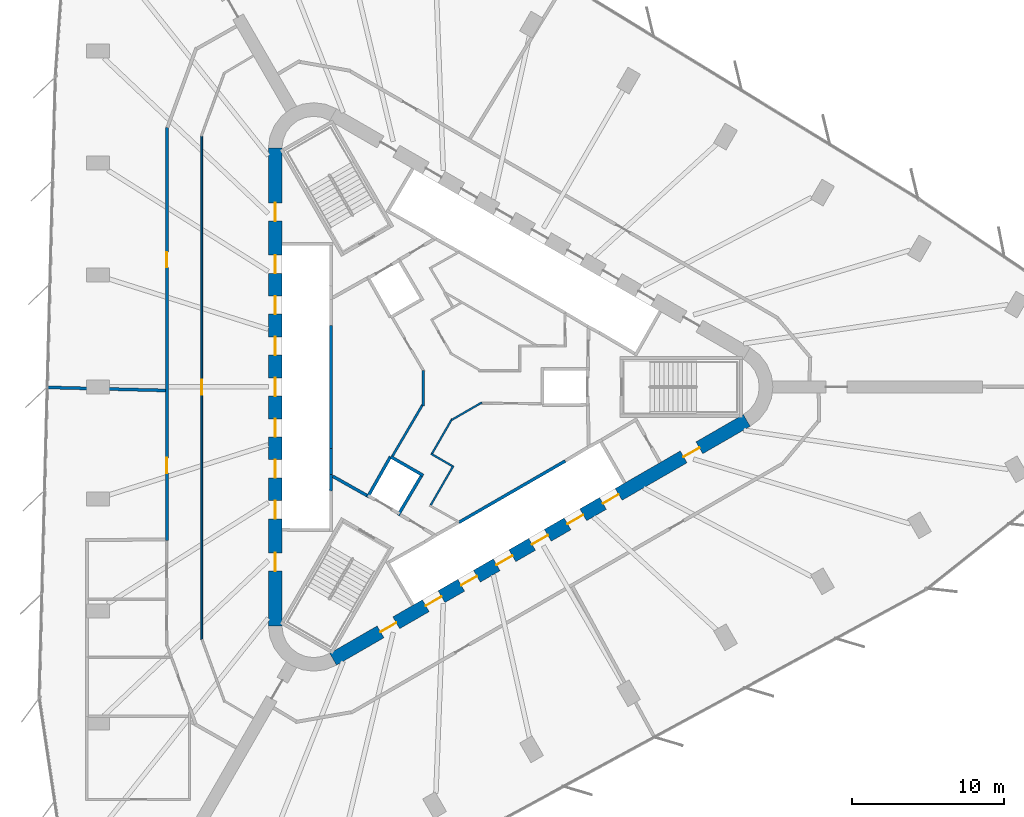
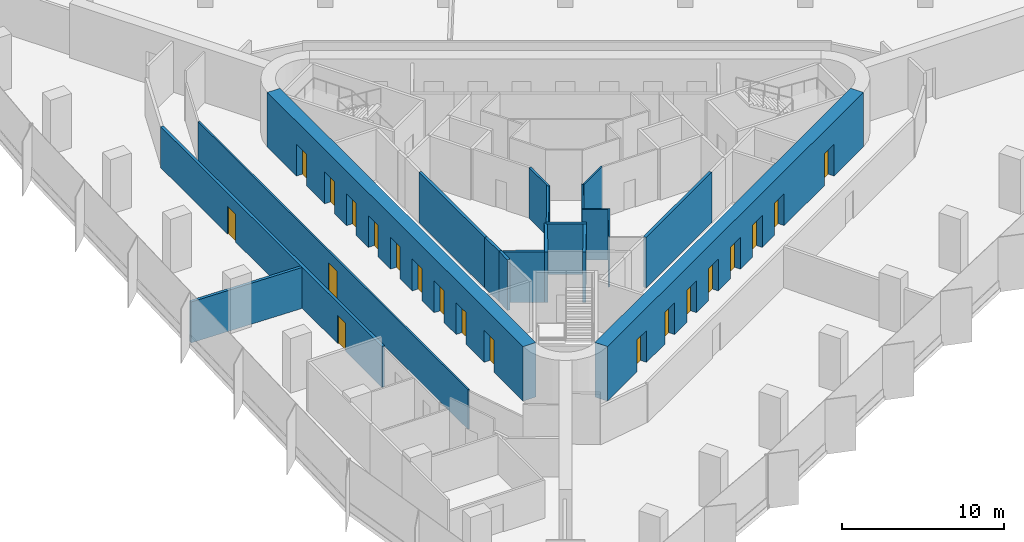
# One storey, part 9 of 13: 20 doors, 19 walls, 20 openings.
"""IFC4 building model written with IfcOpenShell, lengths in metres."""

from ifc_helpers import new_model, si_unit, direction, frame, frame_2d, origin, place, context, subcontext, project, spatial, rectangle, extrude, material, layer, layer_set, type_object, element, fill, save


model = new_model("IFC4")

# Units and contexts
model_context = context("Model", 3, precision=1e-05, world=origin(), true_north=direction((0.0, 1.0)))
body_context = subcontext(model_context, "Body", "Model", "MODEL_VIEW")
ifc_project = project(units=[si_unit("LENGTHUNIT", "METRE"), si_unit("AREAUNIT", "SQUARE_METRE"), si_unit("VOLUMEUNIT", "CUBIC_METRE"), si_unit("PLANEANGLEUNIT", "RADIAN"), si_unit("MASSUNIT", "GRAM", prefix="KILO")], contexts=[model_context])

# Site, building, storey
site_placement = place(None, origin())
site = spatial("IfcSite", under=ifc_project, at=site_placement, CompositionType="ELEMENT")
building_placement = place(site_placement, origin())
building = spatial("IfcBuilding", under=site, at=building_placement, Name="Tanit Gate Tower", CompositionType="ELEMENT")
storey_placement = place(building_placement, frame((0.0, 0.0, 57.800048828125)))
storey = spatial("IfcBuildingStorey", under=building, at=storey_placement, Name="L10", CompositionType="ELEMENT", Elevation=57.800048828125)

# Wall, openings, doors
ifc_material_1 = material(Name="Concrete C60/75", Category="concrete")
ifc_layer_1 = layer(ifc_material_1, 0.89990234375)
ifc_layer_set_1 = layer_set([ifc_layer_1], Name="CORE WALL 900 C60/75")
wall_type_1 = type_object("IfcWallType", Name="CORE WALL 900 C60/75", PredefinedType="SHEAR", material=ifc_layer_set_1)
wall_1_placement = place(storey_placement, frame((-11.64990234375, 15.76171875, 0.0), z_axis=(0.0, 0.0, 1.0), x_axis=(0.0, -1.0, 0.0)))
wall_1 = element("IfcWall", 1, at=wall_1_placement, inside=storey, type_object=wall_type_1, Name="CORE WALL", PredefinedType="SHEAR", context=body_context, shape_type="SweptSolid", body=[
    extrude(rectangle(XDim=31.5234375, YDim=0.89990234375, at=frame_2d((15.76171875, 0.0))), origin(), (0.0, 0.0, 1.0), 4.099853515625),
])
opening_1_placement = place(wall_1_placement, frame((7.061767578125, 0.0, 0.0)))
opening_1 = element("IfcOpeningElement", 2, at=opening_1_placement, cuts=wall_1, Name="Opening LDLL1-S01", PredefinedType="OPENING", context=body_context, shape_type="SweptSolid", body=[
    extrude(rectangle(XDim=1.199951171875, YDim=2.39990234375, at=frame_2d((0.60009765625, 1.199951171875))), frame((0.0, 0.4599609375, 0.0), z_axis=(0.0, -1.0, 0.0), x_axis=(1.0, 0.0, 0.0)), (0.0, 0.0, 1.0), 0.919921875),
])
opening_2_placement = place(wall_1_placement, frame((9.76171875, 0.0, 0.0)))
opening_2 = element("IfcOpeningElement", 3, at=opening_2_placement, cuts=wall_1, Name="Opening LDLL2-S01", PredefinedType="OPENING", context=body_context, shape_type="SweptSolid", body=[
    extrude(rectangle(XDim=1.199951171875, YDim=2.39990234375, at=frame_2d((0.60009765625, 1.199951171875))), frame((0.0, 0.4599609375, 0.0), z_axis=(0.0, -1.0, 0.0), x_axis=(1.0, 0.0, 0.0)), (0.0, 0.0, 1.0), 0.919921875),
])
opening_3_placement = place(wall_1_placement, frame((12.461669921875, 0.0, 0.0)))
opening_3 = element("IfcOpeningElement", 4, at=opening_3_placement, cuts=wall_1, Name="Opening LDLL3-S01", PredefinedType="OPENING", context=body_context, shape_type="SweptSolid", body=[
    extrude(rectangle(XDim=1.199951171875, YDim=2.39990234375, at=frame_2d((0.60009765625, 1.199951171875))), frame((0.0, 0.4599609375, 0.0), z_axis=(0.0, -1.0, 0.0), x_axis=(1.0, 0.0, 0.0)), (0.0, 0.0, 1.0), 0.919921875),
])
opening_4_placement = place(wall_1_placement, frame((15.16162109375, 0.0, 0.0)))
opening_4 = element("IfcOpeningElement", 5, at=opening_4_placement, cuts=wall_1, Name="Opening LDLL4-S01", PredefinedType="OPENING", context=body_context, shape_type="SweptSolid", body=[
    extrude(rectangle(XDim=1.199951171875, YDim=2.39990234375, at=frame_2d((0.60009765625, 1.199951171875))), frame((0.0, 0.4599609375, 0.0), z_axis=(0.0, -1.0, 0.0), x_axis=(1.0, 0.0, 0.0)), (0.0, 0.0, 1.0), 0.919921875),
])
opening_5_placement = place(wall_1_placement, frame((17.86181640625, 0.0, 0.0)))
opening_5 = element("IfcOpeningElement", 6, at=opening_5_placement, cuts=wall_1, Name="Opening LDLL5-S01", PredefinedType="OPENING", context=body_context, shape_type="SweptSolid", body=[
    extrude(rectangle(XDim=1.199951171875, YDim=2.39990234375, at=frame_2d((0.60009765625, 1.199951171875))), frame((0.0, 0.4599609375, 0.0), z_axis=(0.0, -1.0, 0.0), x_axis=(1.0, 0.0, 0.0)), (0.0, 0.0, 1.0), 0.919921875),
])
opening_6_placement = place(wall_1_placement, frame((20.561767578125, 0.0, 0.0)))
opening_6 = element("IfcOpeningElement", 7, at=opening_6_placement, cuts=wall_1, Name="Opening LDLL6-S01", PredefinedType="OPENING", context=body_context, shape_type="SweptSolid", body=[
    extrude(rectangle(XDim=1.199951171875, YDim=2.39990234375, at=frame_2d((0.60009765625, 1.199951171875))), frame((0.0, 0.4599609375, 0.0), z_axis=(0.0, -1.0, 0.0), x_axis=(1.0, 0.0, 0.0)), (0.0, 0.0, 1.0), 0.919921875),
])
opening_7_placement = place(wall_1_placement, frame((23.26171875, 0.0, 0.0)))
opening_7 = element("IfcOpeningElement", 8, at=opening_7_placement, cuts=wall_1, Name="Opening LDLL7-S01", PredefinedType="OPENING", context=body_context, shape_type="SweptSolid", body=[
    extrude(rectangle(XDim=1.199951171875, YDim=2.39990234375, at=frame_2d((0.60009765625, 1.199951171875))), frame((0.0, 0.4599609375, 0.0), z_axis=(0.0, -1.0, 0.0), x_axis=(1.0, 0.0, 0.0)), (0.0, 0.0, 1.0), 0.919921875),
])
opening_8_placement = place(wall_1_placement, frame((3.61181640625, 0.0, 0.0)))
opening_8 = element("IfcOpeningElement", 9, at=opening_8_placement, cuts=wall_1, Name="Opening F12-S01-FL2", PredefinedType="OPENING", context=body_context, shape_type="SweptSolid", body=[
    extrude(rectangle(XDim=1.199951171875, YDim=2.39990234375, at=frame_2d((0.60009765625, 1.199951171875))), frame((0.0, 0.4599609375, 0.0), z_axis=(0.0, -1.0, 0.0), x_axis=(1.0, 0.0, 0.0)), (0.0, 0.0, 1.0), 0.919921875),
])
opening_9_placement = place(wall_1_placement, frame((26.711669921875, 0.0, 0.0)))
opening_9 = element("IfcOpeningElement", 10, at=opening_9_placement, cuts=wall_1, Name="Opening F12-S01-S3", PredefinedType="OPENING", context=body_context, shape_type="SweptSolid", body=[
    extrude(rectangle(XDim=1.199951171875, YDim=2.39990234375, at=frame_2d((0.60009765625, 1.199951171875))), frame((0.0, 0.4599609375, 0.0), z_axis=(0.0, -1.0, 0.0), x_axis=(1.0, 0.0, 0.0)), (0.0, 0.0, 1.0), 0.919921875),
])
ifc_material_2 = material(Name="Fire-rated steel door leaf", Category="steel")
door_type_1 = type_object("IfcDoorType", Name="INT-DOOR-FIRE-LOBBY-1200", OperationType="NOTDEFINED", PredefinedType="USERDEFINED", material=ifc_material_2)
door_1_placement = place(opening_8_placement, origin())
door_1 = element("IfcDoor", 11, at=door_1_placement, inside=storey, type_object=door_type_1, Name="Door F12-S01-FL2", ObjectType="FIRE DOOR", OperationType="SINGLE_SWING_LEFT", OverallHeight=2.39990234375, OverallWidth=1.199951171875, PredefinedType="USERDEFINED", context=body_context, shape_type="SweptSolid", body=[
    extrude(rectangle(XDim=1.199951171875, YDim=2.39990234375, at=frame_2d((0.60009765625, 1.199951171875))), frame((0.0, 0.02490234375, 0.0), z_axis=(0.0, -1.0, 0.0), x_axis=(1.0, 0.0, 0.0)), (0.0, 0.0, 1.0), 0.050048828125),
])
fill(opening_8, door_1)
door_2_placement = place(opening_9_placement, origin())
door_2 = element("IfcDoor", 12, at=door_2_placement, inside=storey, type_object=door_type_1, Name="Door F12-S01-S3", ObjectType="FIRE DOOR", OperationType="SINGLE_SWING_LEFT", OverallHeight=2.39990234375, OverallWidth=1.199951171875, PredefinedType="USERDEFINED", context=body_context, shape_type="SweptSolid", body=[
    extrude(rectangle(XDim=1.199951171875, YDim=2.39990234375, at=frame_2d((0.60009765625, 1.199951171875))), frame((0.0, 0.02490234375, 0.0), z_axis=(0.0, -1.0, 0.0), x_axis=(1.0, 0.0, 0.0)), (0.0, 0.0, 1.0), 0.050048828125),
])
fill(opening_9, door_2)
ifc_material_3 = material(Name="Stainless steel sliding door leaf", Category="steel")
door_type_2 = type_object("IfcDoorType", Name="INT-DOOR-LANDING-1200", OperationType="NOTDEFINED", PredefinedType="USERDEFINED", material=ifc_material_3)
door_3_placement = place(opening_1_placement, origin())
door_3 = element("IfcDoor", 13, at=door_3_placement, inside=storey, type_object=door_type_2, Name="Door LDLL1-S01", ObjectType="LANDING DOOR", OperationType="SLIDING_TO_LEFT", OverallHeight=2.39990234375, OverallWidth=1.199951171875, PredefinedType="USERDEFINED", context=body_context, shape_type="SweptSolid", body=[
    extrude(rectangle(XDim=1.199951171875, YDim=2.39990234375, at=frame_2d((0.60009765625, 1.199951171875))), frame((0.0, 0.02490234375, 0.0), z_axis=(0.0, -1.0, 0.0), x_axis=(1.0, 0.0, 0.0)), (0.0, 0.0, 1.0), 0.050048828125),
])
fill(opening_1, door_3)
door_4_placement = place(opening_2_placement, origin())
door_4 = element("IfcDoor", 14, at=door_4_placement, inside=storey, type_object=door_type_2, Name="Door LDLL2-S01", ObjectType="LANDING DOOR", OperationType="SLIDING_TO_LEFT", OverallHeight=2.39990234375, OverallWidth=1.199951171875, PredefinedType="USERDEFINED", context=body_context, shape_type="SweptSolid", body=[
    extrude(rectangle(XDim=1.199951171875, YDim=2.39990234375, at=frame_2d((0.60009765625, 1.199951171875))), frame((0.0, 0.02490234375, 0.0), z_axis=(0.0, -1.0, 0.0), x_axis=(1.0, 0.0, 0.0)), (0.0, 0.0, 1.0), 0.050048828125),
])
fill(opening_2, door_4)
door_5_placement = place(opening_3_placement, origin())
door_5 = element("IfcDoor", 15, at=door_5_placement, inside=storey, type_object=door_type_2, Name="Door LDLL3-S01", ObjectType="LANDING DOOR", OperationType="SLIDING_TO_LEFT", OverallHeight=2.39990234375, OverallWidth=1.199951171875, PredefinedType="USERDEFINED", context=body_context, shape_type="SweptSolid", body=[
    extrude(rectangle(XDim=1.199951171875, YDim=2.39990234375, at=frame_2d((0.60009765625, 1.199951171875))), frame((0.0, 0.02490234375, 0.0), z_axis=(0.0, -1.0, 0.0), x_axis=(1.0, 0.0, 0.0)), (0.0, 0.0, 1.0), 0.050048828125),
])
fill(opening_3, door_5)
door_6_placement = place(opening_4_placement, origin())
door_6 = element("IfcDoor", 16, at=door_6_placement, inside=storey, type_object=door_type_2, Name="Door LDLL4-S01", ObjectType="LANDING DOOR", OperationType="SLIDING_TO_LEFT", OverallHeight=2.39990234375, OverallWidth=1.199951171875, PredefinedType="USERDEFINED", context=body_context, shape_type="SweptSolid", body=[
    extrude(rectangle(XDim=1.199951171875, YDim=2.39990234375, at=frame_2d((0.60009765625, 1.199951171875))), frame((0.0, 0.02490234375, 0.0), z_axis=(0.0, -1.0, 0.0), x_axis=(1.0, 0.0, 0.0)), (0.0, 0.0, 1.0), 0.050048828125),
])
fill(opening_4, door_6)
door_7_placement = place(opening_5_placement, origin())
door_7 = element("IfcDoor", 17, at=door_7_placement, inside=storey, type_object=door_type_2, Name="Door LDLL5-S01", ObjectType="LANDING DOOR", OperationType="SLIDING_TO_LEFT", OverallHeight=2.39990234375, OverallWidth=1.199951171875, PredefinedType="USERDEFINED", context=body_context, shape_type="SweptSolid", body=[
    extrude(rectangle(XDim=1.199951171875, YDim=2.39990234375, at=frame_2d((0.60009765625, 1.199951171875))), frame((0.0, 0.02490234375, 0.0), z_axis=(0.0, -1.0, 0.0), x_axis=(1.0, 0.0, 0.0)), (0.0, 0.0, 1.0), 0.050048828125),
])
fill(opening_5, door_7)
door_8_placement = place(opening_6_placement, origin())
door_8 = element("IfcDoor", 18, at=door_8_placement, inside=storey, type_object=door_type_2, Name="Door LDLL6-S01", ObjectType="LANDING DOOR", OperationType="SLIDING_TO_LEFT", OverallHeight=2.39990234375, OverallWidth=1.199951171875, PredefinedType="USERDEFINED", context=body_context, shape_type="SweptSolid", body=[
    extrude(rectangle(XDim=1.199951171875, YDim=2.39990234375, at=frame_2d((0.60009765625, 1.199951171875))), frame((0.0, 0.02490234375, 0.0), z_axis=(0.0, -1.0, 0.0), x_axis=(1.0, 0.0, 0.0)), (0.0, 0.0, 1.0), 0.050048828125),
])
fill(opening_6, door_8)
door_9_placement = place(opening_7_placement, origin())
door_9 = element("IfcDoor", 19, at=door_9_placement, inside=storey, type_object=door_type_2, Name="Door LDLL7-S01", ObjectType="LANDING DOOR", OperationType="SLIDING_TO_LEFT", OverallHeight=2.39990234375, OverallWidth=1.199951171875, PredefinedType="USERDEFINED", context=body_context, shape_type="SweptSolid", body=[
    extrude(rectangle(XDim=1.199951171875, YDim=2.39990234375, at=frame_2d((0.60009765625, 1.199951171875))), frame((0.0, 0.02490234375, 0.0), z_axis=(0.0, -1.0, 0.0), x_axis=(1.0, 0.0, 0.0)), (0.0, 0.0, 1.0), 0.050048828125),
])
fill(opening_7, door_9)

wall_2_placement = place(storey_placement, frame((-7.824951171875, -17.969970703125, 0.0), z_axis=(0.0, 0.0, 1.0), x_axis=(0.866028369851, 0.499994862586, 0.0)))
wall_2 = element("IfcWall", 20, at=wall_2_placement, inside=storey, type_object=wall_type_1, Name="CORE WALL", PredefinedType="SHEAR", context=body_context, shape_type="SweptSolid", body=[
    extrude(rectangle(XDim=31.523193359375, YDim=0.89990234375, at=frame_2d((15.76171875, 0.0))), origin(), (0.0, 0.0, 1.0), 4.099853515625),
])
opening_10_placement = place(wall_2_placement, frame((7.061767578125, 0.0, 0.0)))
opening_10 = element("IfcOpeningElement", 21, at=opening_10_placement, cuts=wall_2, Name="Opening LDSX1-S01", PredefinedType="OPENING", context=body_context, shape_type="SweptSolid", body=[
    extrude(rectangle(XDim=1.199951171875, YDim=2.39990234375, at=frame_2d((0.60009765625, 1.199951171875))), frame((0.0, 0.4599609375, 0.0), z_axis=(0.0, -1.0, 0.0), x_axis=(1.0, 0.0, 0.0)), (0.0, 0.0, 1.0), 0.919921875),
])
opening_11_placement = place(wall_2_placement, frame((9.76171875, 0.0, 0.0)))
opening_11 = element("IfcOpeningElement", 22, at=opening_11_placement, cuts=wall_2, Name="Opening LDSX2-S01", PredefinedType="OPENING", context=body_context, shape_type="SweptSolid", body=[
    extrude(rectangle(XDim=1.199951171875, YDim=2.39990234375, at=frame_2d((0.60009765625, 1.199951171875))), frame((0.0, 0.4599609375, 0.0), z_axis=(0.0, -1.0, 0.0), x_axis=(1.0, 0.0, 0.0)), (0.0, 0.0, 1.0), 0.919921875),
])
opening_12_placement = place(wall_2_placement, frame((12.461669921875, 0.0, 0.0)))
opening_12 = element("IfcOpeningElement", 23, at=opening_12_placement, cuts=wall_2, Name="Opening LDSX3-S01", PredefinedType="OPENING", context=body_context, shape_type="SweptSolid", body=[
    extrude(rectangle(XDim=1.199951171875, YDim=2.39990234375, at=frame_2d((0.60009765625, 1.199951171875))), frame((0.0, 0.4599609375, 0.0), z_axis=(0.0, -1.0, 0.0), x_axis=(1.0, 0.0, 0.0)), (0.0, 0.0, 1.0), 0.919921875),
])
opening_13_placement = place(wall_2_placement, frame((15.16162109375, 0.0, 0.0)))
opening_13 = element("IfcOpeningElement", 24, at=opening_13_placement, cuts=wall_2, Name="Opening LDSX4-S01", PredefinedType="OPENING", context=body_context, shape_type="SweptSolid", body=[
    extrude(rectangle(XDim=1.199951171875, YDim=2.39990234375, at=frame_2d((0.60009765625, 1.199951171875))), frame((0.0, 0.4599609375, 0.0), z_axis=(0.0, -1.0, 0.0), x_axis=(1.0, 0.0, 0.0)), (0.0, 0.0, 1.0), 0.919921875),
])
opening_14_placement = place(wall_2_placement, frame((17.861572265625, 0.0, 0.0)))
opening_14 = element("IfcOpeningElement", 25, at=opening_14_placement, cuts=wall_2, Name="Opening LDSV1-S01", PredefinedType="OPENING", context=body_context, shape_type="SweptSolid", body=[
    extrude(rectangle(XDim=1.199951171875, YDim=2.39990234375, at=frame_2d((0.60009765625, 1.199951171875))), frame((0.0, 0.4599609375, 0.0), z_axis=(0.0, -1.0, 0.0), x_axis=(1.0, 0.0, 0.0)), (0.0, 0.0, 1.0), 0.919921875),
])
opening_15_placement = place(wall_2_placement, frame((20.561767578125, 0.0, 0.0)))
opening_15 = element("IfcOpeningElement", 26, at=opening_15_placement, cuts=wall_2, Name="Opening LDSV2-S01", PredefinedType="OPENING", context=body_context, shape_type="SweptSolid", body=[
    extrude(rectangle(XDim=1.199951171875, YDim=2.39990234375, at=frame_2d((0.60009765625, 1.199951171875))), frame((0.0, 0.4599609375, 0.0), z_axis=(0.0, -1.0, 0.0), x_axis=(1.0, 0.0, 0.0)), (0.0, 0.0, 1.0), 0.919921875),
])
opening_16_placement = place(wall_2_placement, frame((26.711669921875, 0.0, 0.0)))
opening_16 = element("IfcOpeningElement", 27, at=opening_16_placement, cuts=wall_2, Name="Opening F12-S01-S1", PredefinedType="OPENING", context=body_context, shape_type="SweptSolid", body=[
    extrude(rectangle(XDim=1.199951171875, YDim=2.39990234375, at=frame_2d((0.60009765625, 1.199951171875))), frame((0.0, 0.4599609375, 0.0), z_axis=(0.0, -1.0, 0.0), x_axis=(1.0, 0.0, 0.0)), (0.0, 0.0, 1.0), 0.919921875),
])
opening_17_placement = place(wall_2_placement, frame((3.611572265625, 0.0, 0.0)))
opening_17 = element("IfcOpeningElement", 28, at=opening_17_placement, cuts=wall_2, Name="Opening F12-S01-FL3", PredefinedType="OPENING", context=body_context, shape_type="SweptSolid", body=[
    extrude(rectangle(XDim=1.199951171875, YDim=2.39990234375, at=frame_2d((0.60009765625, 1.199951171875))), frame((0.0, 0.4599609375, 0.0), z_axis=(0.0, -1.0, 0.0), x_axis=(1.0, 0.0, 0.0)), (0.0, 0.0, 1.0), 0.919921875),
])
door_10_placement = place(opening_16_placement, origin())
door_10 = element("IfcDoor", 29, at=door_10_placement, inside=storey, type_object=door_type_1, Name="Door F12-S01-S1", ObjectType="FIRE DOOR", OperationType="SINGLE_SWING_RIGHT", OverallHeight=2.39990234375, OverallWidth=1.199951171875, PredefinedType="USERDEFINED", context=body_context, shape_type="SweptSolid", body=[
    extrude(rectangle(XDim=1.199951171875, YDim=2.39990234375, at=frame_2d((0.60009765625, 1.199951171875))), frame((0.0, 0.02490234375, 0.0), z_axis=(0.0, -1.0, 0.0), x_axis=(1.0, 0.0, 0.0)), (0.0, 0.0, 1.0), 0.050048828125),
])
fill(opening_16, door_10)
door_11_placement = place(opening_17_placement, origin())
door_11 = element("IfcDoor", 30, at=door_11_placement, inside=storey, type_object=door_type_1, Name="Door F12-S01-FL3", ObjectType="FIRE DOOR", OperationType="SINGLE_SWING_LEFT", OverallHeight=2.39990234375, OverallWidth=1.199951171875, PredefinedType="USERDEFINED", context=body_context, shape_type="SweptSolid", body=[
    extrude(rectangle(XDim=1.199951171875, YDim=2.39990234375, at=frame_2d((0.60009765625, 1.199951171875))), frame((0.0, 0.02490234375, 0.0), z_axis=(0.0, -1.0, 0.0), x_axis=(1.0, 0.0, 0.0)), (0.0, 0.0, 1.0), 0.050048828125),
])
fill(opening_17, door_11)
door_12_placement = place(opening_10_placement, origin())
door_12 = element("IfcDoor", 31, at=door_12_placement, inside=storey, type_object=door_type_2, Name="Door LDSX1-S01", ObjectType="LANDING DOOR", OperationType="SLIDING_TO_LEFT", OverallHeight=2.39990234375, OverallWidth=1.199951171875, PredefinedType="USERDEFINED", context=body_context, shape_type="SweptSolid", body=[
    extrude(rectangle(XDim=1.199951171875, YDim=2.39990234375, at=frame_2d((0.60009765625, 1.199951171875))), frame((0.0, 0.02490234375, 0.0), z_axis=(0.0, -1.0, 0.0), x_axis=(1.0, 0.0, 0.0)), (0.0, 0.0, 1.0), 0.050048828125),
])
fill(opening_10, door_12)
door_13_placement = place(opening_11_placement, origin())
door_13 = element("IfcDoor", 32, at=door_13_placement, inside=storey, type_object=door_type_2, Name="Door LDSX2-S01", ObjectType="LANDING DOOR", OperationType="SLIDING_TO_LEFT", OverallHeight=2.39990234375, OverallWidth=1.199951171875, PredefinedType="USERDEFINED", context=body_context, shape_type="SweptSolid", body=[
    extrude(rectangle(XDim=1.199951171875, YDim=2.39990234375, at=frame_2d((0.60009765625, 1.199951171875))), frame((0.0, 0.02490234375, 0.0), z_axis=(0.0, -1.0, 0.0), x_axis=(1.0, 0.0, 0.0)), (0.0, 0.0, 1.0), 0.050048828125),
])
fill(opening_11, door_13)
door_14_placement = place(opening_12_placement, origin())
door_14 = element("IfcDoor", 33, at=door_14_placement, inside=storey, type_object=door_type_2, Name="Door LDSX3-S01", ObjectType="LANDING DOOR", OperationType="SLIDING_TO_LEFT", OverallHeight=2.39990234375, OverallWidth=1.199951171875, PredefinedType="USERDEFINED", context=body_context, shape_type="SweptSolid", body=[
    extrude(rectangle(XDim=1.199951171875, YDim=2.39990234375, at=frame_2d((0.60009765625, 1.199951171875))), frame((0.0, 0.02490234375, 0.0), z_axis=(0.0, -1.0, 0.0), x_axis=(1.0, 0.0, 0.0)), (0.0, 0.0, 1.0), 0.050048828125),
])
fill(opening_12, door_14)
door_15_placement = place(opening_13_placement, origin())
door_15 = element("IfcDoor", 34, at=door_15_placement, inside=storey, type_object=door_type_2, Name="Door LDSX4-S01", ObjectType="LANDING DOOR", OperationType="SLIDING_TO_LEFT", OverallHeight=2.39990234375, OverallWidth=1.199951171875, PredefinedType="USERDEFINED", context=body_context, shape_type="SweptSolid", body=[
    extrude(rectangle(XDim=1.199951171875, YDim=2.39990234375, at=frame_2d((0.60009765625, 1.199951171875))), frame((0.0, 0.02490234375, 0.0), z_axis=(0.0, -1.0, 0.0), x_axis=(1.0, 0.0, 0.0)), (0.0, 0.0, 1.0), 0.050048828125),
])
fill(opening_13, door_15)
door_16_placement = place(opening_14_placement, origin())
door_16 = element("IfcDoor", 35, at=door_16_placement, inside=storey, type_object=door_type_2, Name="Door LDSV1-S01", ObjectType="LANDING DOOR", OperationType="SLIDING_TO_LEFT", OverallHeight=2.39990234375, OverallWidth=1.199951171875, PredefinedType="USERDEFINED", context=body_context, shape_type="SweptSolid", body=[
    extrude(rectangle(XDim=1.199951171875, YDim=2.39990234375, at=frame_2d((0.60009765625, 1.199951171875))), frame((0.0, 0.02490234375, 0.0), z_axis=(0.0, -1.0, 0.0), x_axis=(1.0, 0.0, 0.0)), (0.0, 0.0, 1.0), 0.050048828125),
])
fill(opening_14, door_16)
door_17_placement = place(opening_15_placement, origin())
door_17 = element("IfcDoor", 36, at=door_17_placement, inside=storey, type_object=door_type_2, Name="Door LDSV2-S01", ObjectType="LANDING DOOR", OperationType="SLIDING_TO_LEFT", OverallHeight=2.39990234375, OverallWidth=1.199951171875, PredefinedType="USERDEFINED", context=body_context, shape_type="SweptSolid", body=[
    extrude(rectangle(XDim=1.199951171875, YDim=2.39990234375, at=frame_2d((0.60009765625, 1.199951171875))), frame((0.0, 0.02490234375, 0.0), z_axis=(0.0, -1.0, 0.0), x_axis=(1.0, 0.0, 0.0)), (0.0, 0.0, 1.0), 0.050048828125),
])
fill(opening_15, door_17)

# Wall
ifc_material_4 = material(Name="Fire-rated gypsum board partition")
ifc_layer_2 = layer(ifc_material_4, 0.199951171875)
ifc_layer_set_2 = layer_set([ifc_layer_2], Name="INT-WALL-COMPARTMENT")
wall_type_2 = type_object("IfcWallType", Name="INT-WALL-COMPARTMENT", PredefinedType="PARTITIONING", material=ifc_layer_set_2)
wall_3_placement = place(storey_placement, frame((-7.84912109375, -5.893798828125, 0.0), z_axis=(0.0, 0.0, 1.0), x_axis=(0.871340486379, -0.490678873396, 0.0)))
element("IfcWall", 37, at=wall_3_placement, inside=storey, type_object=wall_type_2, Name="Wall Compartment W063", PredefinedType="PARTITIONING", context=body_context, shape_type="SweptSolid", body=[
    extrude(rectangle(XDim=2.580810546875, YDim=0.199951171875, at=frame_2d((1.29052734375, 0.0))), origin(), (0.0, 0.0, 1.0), 3.800048828125),
])

# Wall, openings, doors
wall_4_placement = place(storey_placement, frame((-18.800048828125, 17.122314453125, 0.0), z_axis=(0.0, 0.0, 1.0), x_axis=(0.0, -1.0, 0.0)))
wall_4 = element("IfcWall", 38, at=wall_4_placement, inside=storey, type_object=wall_type_2, Name="Wall Compartment W094", PredefinedType="PARTITIONING", context=body_context, shape_type="SweptSolid", body=[
    extrude(rectangle(XDim=27.252197265625, YDim=0.199951171875, at=frame_2d((13.6259765625, 0.0))), origin(), (0.0, 0.0, 1.0), 3.079833984375),
])
opening_18_placement = place(wall_4_placement, frame((21.80419921875, 0.0, 0.0)))
opening_18 = element("IfcOpeningElement", 39, at=opening_18_placement, cuts=wall_4, Name="Opening F10-S01-20", PredefinedType="OPENING", context=body_context, shape_type="SweptSolid", body=[
    extrude(rectangle(XDim=1.0, YDim=2.10009765625, at=frame_2d((0.5, 1.050048828125))), frame((0.0, 0.10986328125, 0.0), z_axis=(0.0, -1.0, 0.0), x_axis=(1.0, 0.0, 0.0)), (0.0, 0.0, 1.0), 0.219970703125),
])
opening_19_placement = place(wall_4_placement, frame((8.22802734375, 0.0, 0.0)))
opening_19 = element("IfcOpeningElement", 40, at=opening_19_placement, cuts=wall_4, Name="Opening F10-S01-21", PredefinedType="OPENING", context=body_context, shape_type="SweptSolid", body=[
    extrude(rectangle(XDim=1.0, YDim=2.10009765625, at=frame_2d((0.5, 1.050048828125))), frame((0.0, 0.10986328125, 0.0), z_axis=(0.0, -1.0, 0.0), x_axis=(1.0, 0.0, 0.0)), (0.0, 0.0, 1.0), 0.219970703125),
])
ifc_material_5 = material(Name="Fire-rated steel door leaf", Category="steel")
door_type_3 = type_object("IfcDoorType", Name="INT-DOOR-FIRE-1000", OperationType="NOTDEFINED", PredefinedType="USERDEFINED", material=ifc_material_5)
door_18_placement = place(opening_18_placement, origin())
door_18 = element("IfcDoor", 41, at=door_18_placement, inside=storey, type_object=door_type_3, Name="Door F10-S01-20", ObjectType="FIRE DOOR", OperationType="SINGLE_SWING_LEFT", OverallHeight=2.10009765625, OverallWidth=1.0, PredefinedType="USERDEFINED", context=body_context, shape_type="SweptSolid", body=[
    extrude(rectangle(XDim=1.0, YDim=2.10009765625, at=frame_2d((0.5, 1.050048828125))), frame((0.0, 0.02490234375, 0.0), z_axis=(0.0, -1.0, 0.0), x_axis=(1.0, 0.0, 0.0)), (0.0, 0.0, 1.0), 0.050048828125),
])
fill(opening_18, door_18)
door_19_placement = place(opening_19_placement, origin())
door_19 = element("IfcDoor", 42, at=door_19_placement, inside=storey, type_object=door_type_3, Name="Door F10-S01-21", ObjectType="FIRE DOOR", OperationType="SINGLE_SWING_RIGHT", OverallHeight=2.10009765625, OverallWidth=1.0, PredefinedType="USERDEFINED", context=body_context, shape_type="SweptSolid", body=[
    extrude(rectangle(XDim=1.0, YDim=2.10009765625, at=frame_2d((0.5, 1.050048828125))), frame((0.0, 0.02490234375, 0.0), z_axis=(0.0, -1.0, 0.0), x_axis=(1.0, 0.0, 0.0)), (0.0, 0.0, 1.0), 0.050048828125),
])
fill(opening_19, door_19)

# Walls
wall_5_placement = place(storey_placement, frame((-26.684814453125, -0.029296875, 0.0), z_axis=(0.0, 0.0, 1.0), x_axis=(0.999664660835, -0.025895286789, 0.0)))
element("IfcWall", 43, at=wall_5_placement, inside=storey, type_object=wall_type_2, Name="Wall Compartment W113", PredefinedType="PARTITIONING", context=body_context, shape_type="SweptSolid", body=[
    extrude(rectangle(XDim=7.78759765625, YDim=0.199951171875, at=frame_2d((3.893798828125, 0.0))), origin(), (0.0, 0.0, 1.0), 3.079833984375),
])
ifc_material_6 = material(Name="Gypsum board partition")
ifc_layer_3 = layer(ifc_material_6, 0.1201171875)
ifc_layer_set_3 = layer_set([ifc_layer_3], Name="INT-WALL-PARTITION")
wall_type_3 = type_object("IfcWallType", Name="INT-WALL-PARTITION", PredefinedType="PARTITIONING", material=ifc_layer_set_3)
wall_6_placement = place(storey_placement, frame((0.1181640625, -5.195068359375, 0.0), z_axis=(0.0, 0.0, 1.0), x_axis=(-0.499990139034, -0.866031096941, 0.0)))
element("IfcWall", 44, at=wall_6_placement, inside=storey, type_object=wall_type_3, Name="Wall Partition W069", PredefinedType="PARTITIONING", context=body_context, shape_type="SweptSolid", body=[
    extrude(rectangle(XDim=3.0, YDim=0.1201171875, at=frame_2d((1.5, 0.0))), origin(), (0.0, 0.0, 1.0), 3.800048828125),
])
wall_7_placement = place(storey_placement, frame((-1.37109375, -4.404541015625, 0.0), z_axis=(0.0, 0.0, 1.0), x_axis=(0.866053003207, -0.499952193351, 0.0)))
element("IfcWall", 45, at=wall_7_placement, inside=storey, type_object=wall_type_3, Name="Wall Partition W070", PredefinedType="PARTITIONING", context=body_context, shape_type="SweptSolid", body=[
    extrude(rectangle(XDim=1.625244140625, YDim=0.1201171875, at=frame_2d((0.8125, 0.0))), origin(), (0.0, 0.0, 1.0), 3.800048828125),
])
wall_8_placement = place(storey_placement, frame((0.0302734375, -2.097412109375, 0.0), z_axis=(0.0, 0.0, 1.0), x_axis=(-0.500000102728, -0.866025344474, 0.0)))
element("IfcWall", 46, at=wall_8_placement, inside=storey, type_object=wall_type_3, Name="Wall Partition W071", PredefinedType="PARTITIONING", context=body_context, shape_type="SweptSolid", body=[
    extrude(rectangle(XDim=2.638671875, YDim=0.1201171875, at=frame_2d((1.3193359375, 0.0))), origin(), (0.0, 0.0, 1.0), 3.800048828125),
])
wall_9_placement = place(storey_placement, frame((1.993896484375, -1.02392578125, 0.0), z_axis=(0.0, 0.0, 1.0), x_axis=(-0.866048237946, -0.499960447986, 0.0)))
element("IfcWall", 47, at=wall_9_placement, inside=storey, type_object=wall_type_3, Name="Wall Partition W072", PredefinedType="PARTITIONING", context=body_context, shape_type="SweptSolid", body=[
    extrude(rectangle(XDim=2.308837890625, YDim=0.1201171875, at=frame_2d((1.154296875, 0.0))), origin(), (0.0, 0.0, 1.0), 3.800048828125),
])

# Wall, opening, door
wall_10_placement = place(storey_placement, frame((-16.5, 16.556884765625, 0.0), z_axis=(0.0, 0.0, 1.0), x_axis=(0.0, -1.0, 0.0)))
wall_10 = element("IfcWall", 48, at=wall_10_placement, inside=storey, type_object=wall_type_3, Name="Wall Partition W088", PredefinedType="PARTITIONING", context=body_context, shape_type="SweptSolid", body=[
    extrude(rectangle(XDim=33.233642578125, YDim=0.1201171875, at=frame_2d((16.61669921875, 0.0))), origin(), (0.0, 0.0, 1.0), 2.97998046875),
])
opening_20_placement = place(wall_10_placement, frame((16.0869140625, 0.0, 0.0)))
opening_20 = element("IfcOpeningElement", 49, at=opening_20_placement, cuts=wall_10, Name="Opening D10-S01-15", PredefinedType="OPENING", context=body_context, shape_type="SweptSolid", body=[
    extrude(rectangle(XDim=1.0, YDim=2.10009765625, at=frame_2d((0.5, 1.050048828125))), frame((0.0, 0.070068359375, 0.0), z_axis=(0.0, -1.0, 0.0), x_axis=(1.0, 0.0, 0.0)), (0.0, 0.0, 1.0), 0.14013671875),
])
ifc_material_7 = material(Name="Timber door leaf", Category="wood")
door_type_4 = type_object("IfcDoorType", Name="INT-DOOR-SINGLE-1000", OperationType="NOTDEFINED", PredefinedType="NOTDEFINED", material=ifc_material_7)
door_20_placement = place(opening_20_placement, origin())
door_20 = element("IfcDoor", 50, at=door_20_placement, inside=storey, type_object=door_type_4, Name="Door D10-S01-15", OperationType="SINGLE_SWING_LEFT", OverallHeight=2.10009765625, OverallWidth=1.0, PredefinedType="NOTDEFINED", context=body_context, shape_type="SweptSolid", body=[
    extrude(rectangle(XDim=1.0, YDim=2.10009765625, at=frame_2d((0.5, 1.050048828125))), frame((0.0, 0.02490234375, 0.0), z_axis=(0.0, -1.0, 0.0), x_axis=(1.0, 0.0, 0.0)), (0.0, 0.0, 1.0), 0.050048828125),
])
fill(opening_20, door_20)

# Walls
ifc_material_8 = material(Name="Fire-rated gypsum board partition")
ifc_layer_4 = layer(ifc_material_8, 0.14990234375)
ifc_layer_set_4 = layer_set([ifc_layer_4], Name="INT-WALL-RISER")
wall_type_4 = type_object("IfcWallType", Name="INT-WALL-RISER", PredefinedType="PLUMBINGWALL", material=ifc_layer_set_4)
wall_11_placement = place(storey_placement, frame((-1.883544921875, -1.240234375, 0.0), z_axis=(0.0, 0.0, 1.0), x_axis=(0.0, 1.0, 0.0)))
element("IfcWall", 51, at=wall_11_placement, inside=storey, type_object=wall_type_4, Name="Wall Riser W066", PredefinedType="PLUMBINGWALL", context=body_context, shape_type="SweptSolid", body=[
    extrude(rectangle(XDim=2.3291015625, YDim=0.14990234375, at=frame_2d((1.16455078125, 0.0))), origin(), (0.0, 0.0, 1.0), 3.800048828125),
])
wall_12_placement = place(storey_placement, frame((-3.906005859375, -4.5576171875, 0.0), z_axis=(0.0, 0.0, 1.0), x_axis=(0.506254243073, 0.862384277089, 0.0)))
element("IfcWall", 52, at=wall_12_placement, inside=storey, type_object=wall_type_4, Name="Wall Riser W067", PredefinedType="PLUMBINGWALL", context=body_context, shape_type="SweptSolid", body=[
    extrude(rectangle(XDim=3.971435546875, YDim=0.14990234375, at=frame_2d((1.98583984375, 0.0))), origin(), (0.0, 0.0, 1.0), 3.800048828125),
])
ifc_material_9 = material(Name="Gypsum shaft wall system")
ifc_layer_5 = layer(ifc_material_9, 0.199951171875)
ifc_layer_set_5 = layer_set([ifc_layer_5], Name="INT-WALL-SHAFT")
wall_type_5 = type_object("IfcWallType", Name="INT-WALL-SHAFT", PredefinedType="PLUMBINGWALL", material=ifc_layer_set_5)
wall_13_placement = place(storey_placement, frame((-7.97998046875, 4.050048828125, 0.0), z_axis=(0.0, 0.0, 1.0), x_axis=(0.0, -1.0, 0.0)))
element("IfcWall", 53, at=wall_13_placement, inside=storey, type_object=wall_type_5, Name="Wall Shaft W006", PredefinedType="PLUMBINGWALL", context=body_context, shape_type="SweptSolid", body=[
    extrude(rectangle(XDim=8.10009765625, YDim=0.199951171875, at=frame_2d((4.050048828125, 0.0))), origin(), (0.0, 0.0, 1.0), 3.800048828125),
])
wall_14_placement = place(storey_placement, frame((-7.949951171875, -5.7724609375, 0.0), z_axis=(0.0, 0.0, 1.0), x_axis=(-0.030803413295, -0.999525462272, 0.0)))
element("IfcWall", 54, at=wall_14_placement, inside=storey, type_object=wall_type_5, Name="Wall Shaft W009", PredefinedType="PLUMBINGWALL", context=body_context, shape_type="SweptSolid", body=[
    extrude(rectangle(XDim=1.077880859375, YDim=0.199951171875, at=frame_2d((0.5390625, 0.0))), origin(), (0.0, 0.0, 1.0), 3.800048828125),
])
wall_15_placement = place(storey_placement, frame((-7.97998046875, -4.050048828125, 0.0), z_axis=(0.0, 0.0, 1.0), x_axis=(0.016809909365, -0.999858703491, 0.0)))
element("IfcWall", 55, at=wall_15_placement, inside=storey, type_object=wall_type_5, Name="Wall Shaft W010", PredefinedType="PLUMBINGWALL", context=body_context, shape_type="SweptSolid", body=[
    extrude(rectangle(XDim=1.844482421875, YDim=0.199951171875, at=frame_2d((0.92236328125, 0.0))), origin(), (0.0, 0.0, 1.0), 3.800048828125),
])
wall_16_placement = place(storey_placement, frame((0.482666015625, -8.935791015625, 0.0), z_axis=(0.0, 0.0, 1.0), x_axis=(0.866030989016, 0.499990325971, 0.0)))
element("IfcWall", 56, at=wall_16_placement, inside=storey, type_object=wall_type_5, Name="Wall Shaft W031", PredefinedType="PLUMBINGWALL", context=body_context, shape_type="SweptSolid", body=[
    extrude(rectangle(XDim=8.099853515625, YDim=0.199951171875, at=frame_2d((4.0498046875, 0.0))), origin(), (0.0, 0.0, 1.0), 3.800048828125),
])
wall_17_placement = place(storey_placement, frame((-5.5625, -7.29638671875, 0.0), z_axis=(0.0, 0.0, 1.0), x_axis=(0.491322718731, 0.870977603649, 0.0)))
element("IfcWall", 57, at=wall_17_placement, inside=storey, type_object=wall_type_5, Name="Wall Shaft W054", PredefinedType="PLUMBINGWALL", context=body_context, shape_type="SweptSolid", body=[
    extrude(rectangle(XDim=3.10009765625, YDim=0.199951171875, at=frame_2d((1.550048828125, 0.0))), origin(), (0.0, 0.0, 1.0), 3.800048828125),
])
wall_18_placement = place(storey_placement, frame((-4.021484375, -4.6064453125, 0.0), z_axis=(0.0, 0.0, 1.0), x_axis=(0.866016689309, -0.500015093611, 0.0)))
element("IfcWall", 58, at=wall_18_placement, inside=storey, type_object=wall_type_5, Name="Wall Shaft W055", PredefinedType="PLUMBINGWALL", context=body_context, shape_type="SweptSolid", body=[
    extrude(rectangle(XDim=2.4794921875, YDim=0.199951171875, at=frame_2d((1.23974609375, 0.0))), origin(), (0.0, 0.0, 1.0), 3.800048828125),
])
wall_19_placement = place(storey_placement, frame((-2.01171875, -5.88232421875, 0.0), z_axis=(0.0, 0.0, 1.0), x_axis=(-0.508619639323, -0.860991325447, 0.0)))
element("IfcWall", 59, at=wall_19_placement, inside=storey, type_object=wall_type_5, Name="Wall Shaft W056", PredefinedType="PLUMBINGWALL", context=body_context, shape_type="SweptSolid", body=[
    extrude(rectangle(XDim=3.0, YDim=0.199951171875, at=frame_2d((1.5, 0.0))), origin(), (0.0, 0.0, 1.0), 3.800048828125),
])

save(model, "model.ifc")
